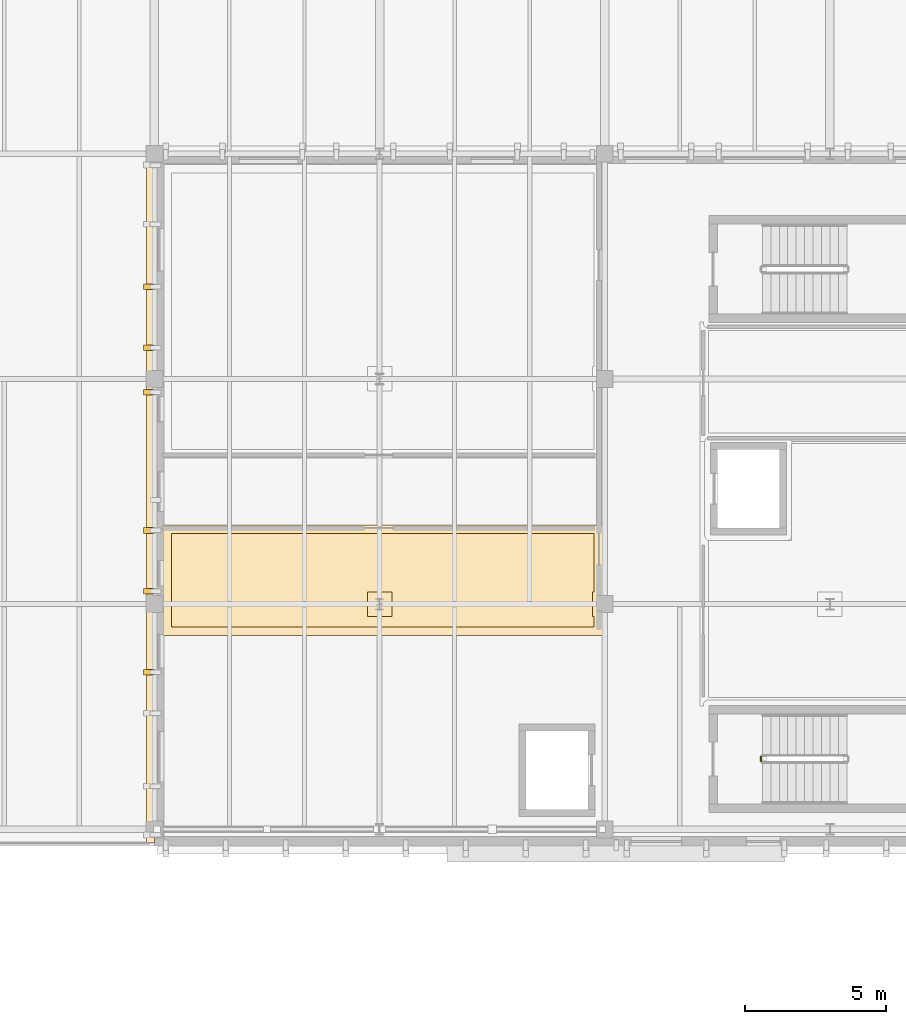
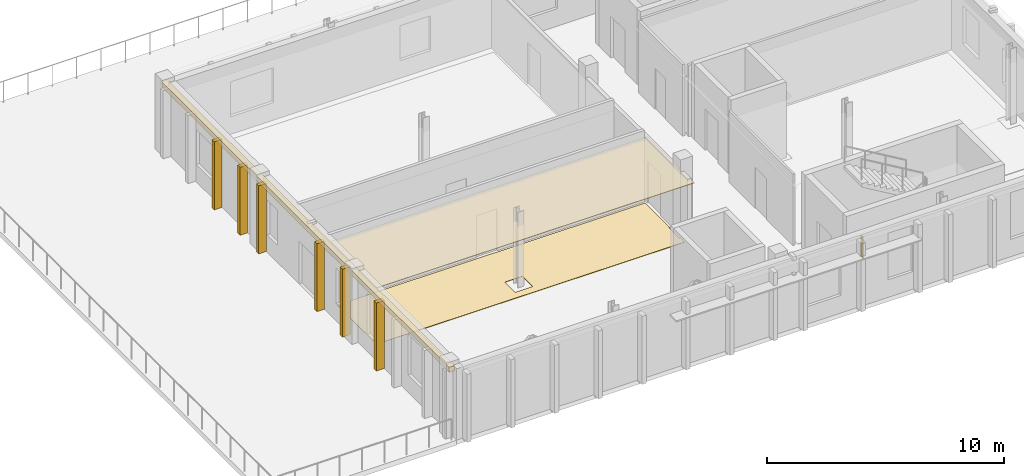
# One storey, part 34 of 43: 9 coverings, 1 railing.
"""IFC4 building model written with IfcOpenShell, lengths in metres."""

from ifc_helpers import new_model, si_unit, direction, frame, origin, origin_2d, place, context, subcontext, project, spatial, polyline, rectangle, circle, outline, extrude, material, layer, layer_set, type_object, element, save


model = new_model("IFC4")

# Units and contexts
model_context = context("Model", 3, precision=1e-05, world=origin(), true_north=direction((0.0, 1.0)))
body_context = subcontext(model_context, "Body", "Model", "MODEL_VIEW")
ifc_project = project(units=[si_unit("LENGTHUNIT", "METRE"), si_unit("AREAUNIT", "SQUARE_METRE"), si_unit("VOLUMEUNIT", "CUBIC_METRE"), si_unit("PLANEANGLEUNIT", "RADIAN"), si_unit("MASSUNIT", "GRAM", prefix="KILO")], contexts=[model_context])

# Site, building, storey
site_placement = place(None, origin())
site = spatial("IfcSite", under=ifc_project, at=site_placement, CompositionType="ELEMENT")
building_placement = place(site_placement, origin())
building = spatial("IfcBuilding", under=site, at=building_placement, Name="Cymarion Research Institute", CompositionType="ELEMENT")
storey_placement = place(building_placement, frame((0.0, 0.0, 22.800048828125)))
storey = spatial("IfcBuildingStorey", under=building, at=storey_placement, Name="L05", CompositionType="ELEMENT", Elevation=22.800048828125)

# Covering
ifc_material_1 = material(Name="Micro-perforated mineral acoustic ceiling tile", Category="gypsum")
ifc_layer_1 = layer(ifc_material_1, 0.030029296875)
ifc_layer_set_1 = layer_set([ifc_layer_1], Name="Micro-perforated mineral acoustic ceiling tile")
covering_type_1 = type_object("IfcCoveringType", Name="ACOUSTIC MICRO-PERFORATED SUSPENDED CEILING CLG-01", PredefinedType="CEILING", material=ifc_layer_set_1)
covering_1_placement = place(storey_placement, frame((0.0, 0.0, 3.1298828125)))
element("IfcCovering", 1, at=covering_1_placement, inside=storey, type_object=covering_type_1, Name="L05 L05 Quantum Photonics & Ultrafast Laser Laboratory acoustic ceiling", PredefinedType="CEILING", context=body_context, shape_type="SweptSolid", body=[
    extrude(outline(polyline([(30.514892578125, 55.364990234375), (30.514892578125, 54.385009765625), (14.905029296875, 54.385009765625), (14.905029296875, 58.31494140625), (30.514892578125, 58.31494140625), (30.514892578125, 55.635009765625), (30.465087890625, 55.635009765625), (30.465087890625, 55.364990234375), (30.514892578125, 55.364990234375)])), origin(), (0.0, 0.0, 1.0), 0.030029296875),
])

# Railing
ifc_material_2 = material(Name="Steel S355", Category="steel")
railing_type = type_object("IfcRailingType", Name="PAINTED STEEL STAIR GUARDRAIL GR1 1100MM", PredefinedType="GUARDRAIL", material=ifc_material_2)
railing_placement = place(storey_placement, frame((36.14990234375, 49.919921875, 0.0)))
element("IfcRailing", 2, at=railing_placement, inside=storey, type_object=railing_type, Name="L05 ST7 stair guard 4", PredefinedType="GUARDRAIL", context=body_context, shape_type="SweptSolid", body=[
    extrude(circle(Radius=0.02392578125, at=origin_2d()), frame((0.0, 0.0, 1.076171875), z_axis=(0.0, 1.0, 0.0), x_axis=(-1.0, 0.0, 0.0)), (0.0, 0.0, 1.0), 0.16015625),
    extrude(circle(Radius=0.02099609375, at=origin_2d()), origin(), (0.0, 0.0, 1.0), 1.052001953125),
    extrude(circle(Radius=0.02099609375, at=origin_2d()), frame((0.0, 0.16015625, 0.0)), (0.0, 0.0, 1.0), 1.052001953125),
])

# Coverings
ifc_material_3 = material(Name="Precast concrete C45/55 architectural white", Category="concrete")
ifc_layer_2 = layer(ifc_material_3, 0.260009765625)
ifc_layer_set_2 = layer_set([ifc_layer_2], Name="Precast concrete C45/55 architectural white")
covering_type_2 = type_object("IfcCoveringType", Name="SCULPTURAL WHITE PRECAST CONCRETE SPANDREL BROW BAND RIB2 280MM", PredefinedType="CLADDING", material=ifc_layer_set_2)
covering_2_placement = place(storey_placement, frame((14.4580078125, 59.199951171875, 3.52001953125), z_axis=(0.0, 0.0, 1.0), x_axis=(-1.0, 0.0, 0.0)))
element("IfcCovering", 3, at=covering_2_placement, inside=storey, type_object=covering_type_2, Name="L05 V4 precast spandrel brow band RIB2 #1024", PredefinedType="CLADDING", context=body_context, shape_type="SweptSolid", body=[
    extrude(rectangle(XDim=0.280029296875, YDim=24.360107421875, at=origin_2d()), origin(), (0.0, 0.0, 1.0), 0.260009765625),
])
ifc_layer_3 = layer(ifc_material_3, 0.199951171875)
ifc_layer_set_3 = layer_set([ifc_layer_3], Name="Precast concrete C45/55 architectural white")
covering_type_3 = type_object("IfcCoveringType", Name="SCULPTURAL WHITE PRECAST CONCRETE VERTICAL RIB RIB1 380X200", PredefinedType="CLADDING", material=ifc_layer_set_3)
for number, where, z_axis, x_axis, name in (
    (4, (14.407958984375, 66.772705078125, 0.010009765625), (0.0, 0.0, 1.0), (-1.0, 0.0, 0.0), "L05 V4 sculptural precast vertical rib RIB1 #1027"),
    (5, (14.407958984375, 64.609130859375, 0.010009765625), (0.0, 0.0, 1.0), (-1.0, 0.0, 0.0), "L05 V4 sculptural precast vertical rib RIB1 #1028"),
    (6, (14.407958984375, 63.030029296875, 0.010009765625), (0.0, 0.0, 1.0), (-1.0, 0.0, 0.0), "L05 V4 sculptural precast vertical rib RIB1 #1029"),
    (7, (14.407958984375, 58.1181640625, 0.010009765625), (0.0, 0.0, 1.0), (-1.0, 0.0, 0.0), "L05 V4 sculptural precast vertical rib RIB1 #1030"),
    (8, (14.407958984375, 55.95458984375, 0.010009765625), (0.0, 0.0, 1.0), (-1.0, 0.0, 0.0), "L05 V4 sculptural precast vertical rib RIB1 #1031"),
    (9, (14.407958984375, 53.080078125, 0.010009765625), (0.0, 0.0, 1.0), (-1.0, 0.0, 0.0), "L05 V4 sculptural precast vertical rib RIB1 #1032"),
):
    element("IfcCovering", number, at=place(storey_placement, frame(where, z_axis=z_axis, x_axis=x_axis)), inside=storey, type_object=covering_type_3, Name=name, PredefinedType="CLADDING", context=body_context, shape_type="SweptSolid", body=[
        extrude(rectangle(XDim=0.3798828125, YDim=0.199951171875, at=origin_2d()), origin(), (0.0, 0.0, 1.0), 3.5048828125),
    ])
ifc_material_4 = material(Name="Seamless dissipative epoxy resin flooring", Category="resin")
ifc_layer_4 = layer(ifc_material_4, 0.02001953125)
ifc_layer_set_4 = layer_set([ifc_layer_4], Name="Seamless dissipative epoxy resin flooring")
covering_type_4 = type_object("IfcCoveringType", Name="SEAMLESS ESD EPOXY LABORATORY FLOORING FLR-01", PredefinedType="FLOORING", material=ifc_layer_set_4)
covering_3_placement = place(storey_placement, origin())
element("IfcCovering", 10, at=covering_3_placement, inside=storey, type_object=covering_type_4, Name="L05 L05 Quantum Photonics & Ultrafast Laser Laboratory ESD epoxy flooring", PredefinedType="FLOORING", context=body_context, shape_type="SweptSolid", body=[
    extrude(outline(polyline([(30.215087890625, 55.06494140625), (30.215087890625, 54.68505859375), (15.205078125, 54.68505859375), (15.205078125, 58.014892578125), (30.215087890625, 58.014892578125), (30.215087890625, 55.93505859375), (30.1650390625, 55.93505859375), (30.1650390625, 55.06494140625), (30.215087890625, 55.06494140625)]), holes=[polyline([(22.1650390625, 55.06494140625), (23.034912109375, 55.06494140625), (23.034912109375, 55.93505859375), (22.1650390625, 55.93505859375), (22.1650390625, 55.06494140625)])]), origin(), (0.0, 0.0, 1.0), 0.02001953125),
])

save(model, "model.ifc")
